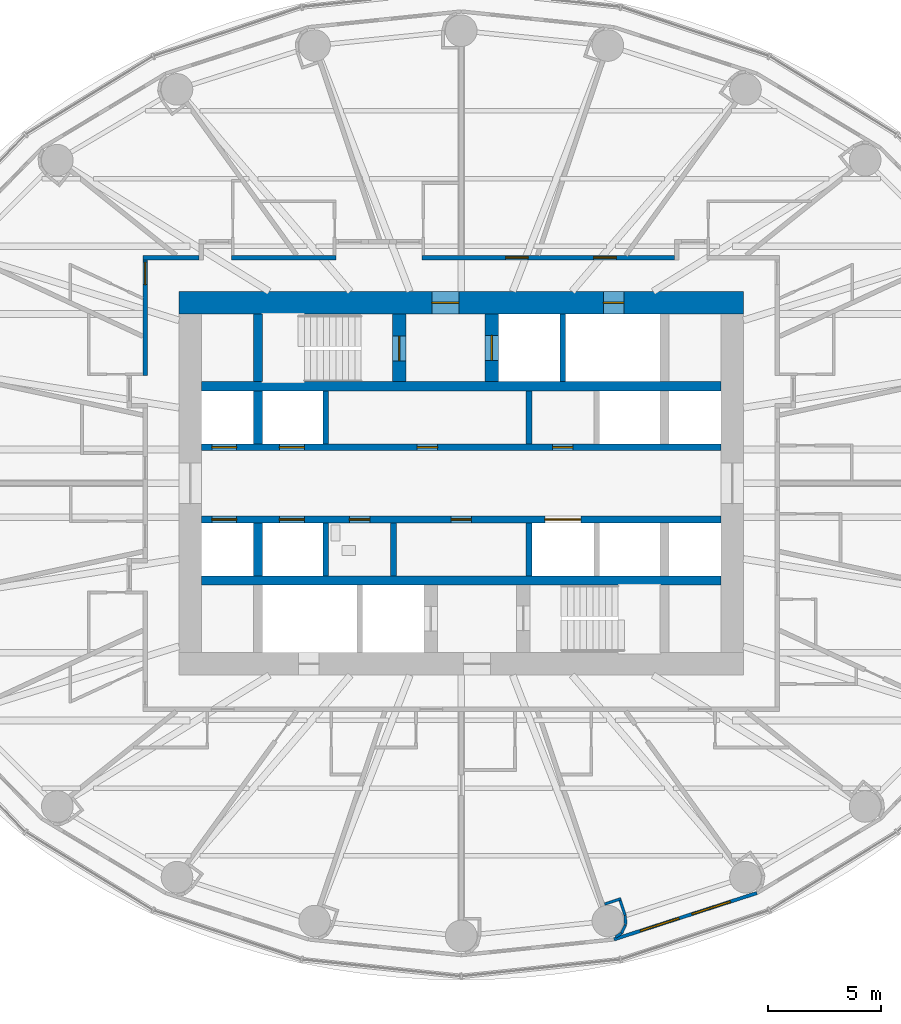
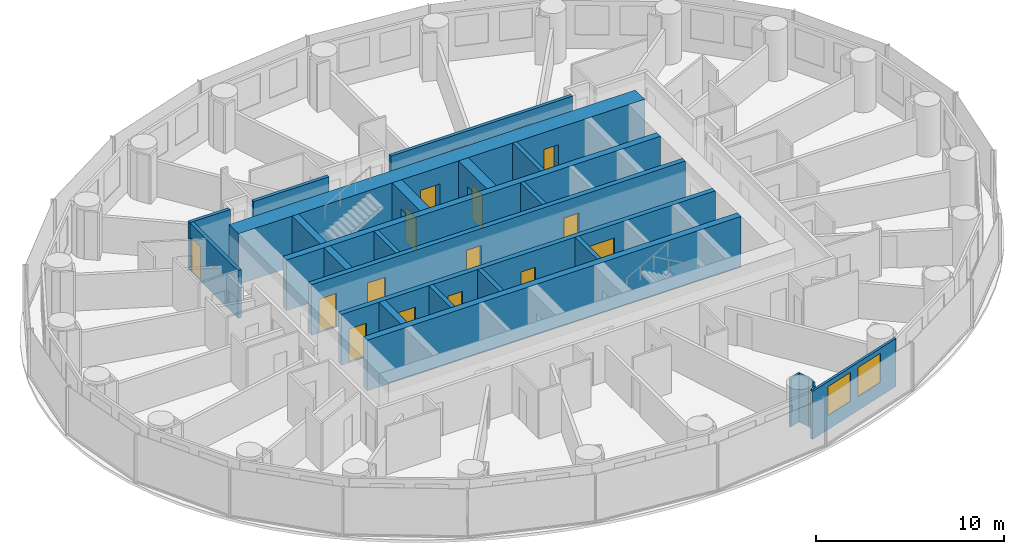
# One storey, part 9 of 16: 26 walls, 16 doors, 2 windows, 18 openings.
"""IFC4 building model written with IfcOpenShell, lengths in metres."""

from ifc_helpers import new_model, si_unit, direction, frame, frame_2d, origin, place, context, subcontext, project, spatial, rectangle, extrude, material, layer, layer_set, type_object, element, fill, save


model = new_model("IFC4")

# Units and contexts
model_context = context("Model", 3, precision=1e-05, world=origin(), true_north=direction((0.0, 1.0)))
body_context = subcontext(model_context, "Body", "Model", "MODEL_VIEW")
ifc_project = project(units=[si_unit("LENGTHUNIT", "METRE"), si_unit("AREAUNIT", "SQUARE_METRE"), si_unit("VOLUMEUNIT", "CUBIC_METRE"), si_unit("PLANEANGLEUNIT", "RADIAN"), si_unit("MASSUNIT", "GRAM", prefix="KILO")], contexts=[model_context])

# Site, building, storey
site_placement = place(None, origin())
site = spatial("IfcSite", under=ifc_project, at=site_placement, CompositionType="ELEMENT")
building_placement = place(site_placement, origin())
building = spatial("IfcBuilding", under=site, at=building_placement, Name="Hankou Lantern Tower", CompositionType="ELEMENT")
storey_placement = place(building_placement, frame((0.0, 0.0, 77.10009765625)))
storey = spatial("IfcBuildingStorey", under=building, at=storey_placement, Name="L19", CompositionType="ELEMENT", Elevation=77.10009765625)

# Wall, openings, doors
ifc_material_1 = material(Name="Concrete C60", Category="concrete")
ifc_layer_1 = layer(ifc_material_1, 1.0)
ifc_layer_set_1 = layer_set([ifc_layer_1], Name="Concrete C60")
wall_type_1 = type_object("IfcWallType", Name="CW1 CORE WALL 1000", PredefinedType="SHEAR", material=ifc_layer_set_1)
wall_1_placement = place(storey_placement, frame((-12.5, 8.0, 0.0), z_axis=(0.0, 0.0, 1.0), x_axis=(1.0, 0.0, 0.0)))
wall_1 = element("IfcWall", 1, at=wall_1_placement, inside=storey, type_object=wall_type_1, Name="Core wall north L19", PredefinedType="SHEAR", context=body_context, shape_type="SweptSolid", body=[
    extrude(rectangle(XDim=25.0, YDim=1.0, at=frame_2d((12.5, 0.0))), origin(), (0.0, 0.0, 1.0), 3.2998046875),
])
opening_1_placement = place(wall_1_placement, frame((11.199951171875, 0.0, 0.0)))
opening_1 = element("IfcOpeningElement", 2, at=opening_1_placement, cuts=wall_1, Name="Opening D5", PredefinedType="OPENING", context=body_context, shape_type="SweptSolid", body=[
    extrude(rectangle(XDim=1.199951171875, YDim=2.199951171875, at=frame_2d((0.60009765625, 1.10009765625))), frame((0.0, 0.510009765625, 0.0), z_axis=(0.0, -1.0, 0.0), x_axis=(1.0, 0.0, 0.0)), (0.0, 0.0, 1.0), 1.02001953125),
])
opening_2_placement = place(wall_1_placement, frame((18.800048828125, 0.0, 0.0)))
opening_2 = element("IfcOpeningElement", 3, at=opening_2_placement, cuts=wall_1, Name="Opening D7", PredefinedType="OPENING", context=body_context, shape_type="SweptSolid", body=[
    extrude(rectangle(XDim=0.89990234375, YDim=2.199951171875, at=frame_2d((0.449951171875, 1.10009765625))), frame((0.0, 0.510009765625, 0.0), z_axis=(0.0, -1.0, 0.0), x_axis=(1.0, 0.0, 0.0)), (0.0, 0.0, 1.0), 1.02001953125),
])
ifc_material_2 = material(Name="Steel door leaf", Category="steel")
door_type_1 = type_object("IfcDoorType", Name="D5 STAIR LOBBY DOOR 1200X2200", OperationType="SINGLE_SWING_LEFT", PredefinedType="DOOR", material=ifc_material_2)
door_1_placement = place(opening_1_placement, origin())
door_1 = element("IfcDoor", 4, at=door_1_placement, inside=storey, type_object=door_type_1, Name="Stair A lobby door", OperationType="SINGLE_SWING_LEFT", OverallHeight=2.199951171875, OverallWidth=1.199951171875, PredefinedType="DOOR", context=body_context, shape_type="SweptSolid", body=[
    extrude(rectangle(XDim=1.199951171875, YDim=2.199951171875, at=frame_2d((0.60009765625, 1.10009765625))), frame((0.0, 0.02490234375, 0.0), z_axis=(0.0, -1.0, 0.0), x_axis=(1.0, 0.0, 0.0)), (0.0, 0.0, 1.0), 0.050048828125),
])
fill(opening_1, door_1)
ifc_material_3 = material(Name="Steel door leaf", Category="steel")
door_type_2 = type_object("IfcDoorType", Name="D7 RISER DOOR 900X2200", OperationType="SINGLE_SWING_LEFT", PredefinedType="DOOR", material=ifc_material_3)
door_2_placement = place(opening_2_placement, origin())
door_2 = element("IfcDoor", 5, at=door_2_placement, inside=storey, type_object=door_type_2, Name="Riser N1 door", OperationType="SINGLE_SWING_RIGHT", OverallHeight=2.199951171875, OverallWidth=0.89990234375, PredefinedType="DOOR", context=body_context, shape_type="SweptSolid", body=[
    extrude(rectangle(XDim=0.89990234375, YDim=2.199951171875, at=frame_2d((0.449951171875, 1.10009765625))), frame((0.0, 0.02490234375, 0.0), z_axis=(0.0, -1.0, 0.0), x_axis=(1.0, 0.0, 0.0)), (0.0, 0.0, 1.0), 0.050048828125),
])
fill(opening_2, door_2)

# Walls
ifc_material_4 = material(Name="Concrete C60", Category="concrete")
ifc_layer_2 = layer(ifc_material_4, 0.39990234375)
ifc_layer_set_2 = layer_set([ifc_layer_2], Name="Concrete C60")
wall_type_2 = type_object("IfcWallType", Name="CW4 CORE CROSS WALL 400", PredefinedType="SHEAR", material=ifc_layer_set_2)
for number, where, z_axis, x_axis, name in (
    (6, (-11.5, 4.300048828125, 0.0), (0.0, 0.0, 1.0), (1.0, 0.0, 0.0), "Core band wall north L19"),
    (7, (-11.5, -4.300048828125, 0.0), (0.0, 0.0, 1.0), (1.0, 0.0, 0.0), "Core band wall south L19"),
):
    element("IfcWall", number, at=place(storey_placement, frame(where, z_axis=z_axis, x_axis=x_axis)), inside=storey, type_object=wall_type_2, Name=name, PredefinedType="SHEAR", context=body_context, shape_type="SweptSolid", body=[
        extrude(rectangle(XDim=23.0, YDim=0.39990234375, at=frame_2d((11.5, 0.0))), origin(), (0.0, 0.0, 1.0), 3.2998046875),
    ])
wall_2_placement = place(storey_placement, frame((-9.0, 4.5, 0.0), z_axis=(0.0, 0.0, 1.0), x_axis=(0.0, 1.0, 0.0)))
element("IfcWall", 8, at=wall_2_placement, inside=storey, type_object=wall_type_2, Name="Core strip wall L19", PredefinedType="SHEAR", context=body_context, shape_type="SweptSolid", body=[
    extrude(rectangle(XDim=3.0, YDim=0.39990234375, at=frame_2d((1.5, 0.0))), origin(), (0.0, 0.0, 1.0), 3.2998046875),
])
for number, where, z_axis, x_axis, name in (
    (9, (-9.0, 1.75, 0.0), (0.0, 0.0, 1.0), (0.0, 1.0, 0.0), "Core strip wall L19"),
    (10, (-9.0, -4.10009765625, 0.0), (0.0, 0.0, 1.0), (0.0, 1.0, 0.0), "Core strip wall L19"),
):
    element("IfcWall", number, at=place(storey_placement, frame(where, z_axis=z_axis, x_axis=x_axis)), inside=storey, type_object=wall_type_2, Name=name, PredefinedType="SHEAR", context=body_context, shape_type="SweptSolid", body=[
        extrude(rectangle(XDim=2.35009765625, YDim=0.39990234375, at=frame_2d((1.175048828125, 0.0))), origin(), (0.0, 0.0, 1.0), 3.2998046875),
    ])

# Wall, openings, doors
ifc_material_5 = material(Name="Concrete C60", Category="concrete")
ifc_layer_3 = layer(ifc_material_5, 0.300048828125)
ifc_layer_set_3 = layer_set([ifc_layer_3], Name="Concrete C60")
wall_type_3 = type_object("IfcWallType", Name="CW5 LIFT LOBBY WALL 300", PredefinedType="SHEAR", material=ifc_layer_set_3)
wall_3_placement = place(storey_placement, frame((-11.5, 1.60009765625, 0.0), z_axis=(0.0, 0.0, 1.0), x_axis=(1.0, 0.0, 0.0)))
wall_3 = element("IfcWall", 11, at=wall_3_placement, inside=storey, type_object=wall_type_3, Name="Lift lobby wall north L19", PredefinedType="SHEAR", context=body_context, shape_type="SweptSolid", body=[
    extrude(rectangle(XDim=23.0, YDim=0.300048828125, at=frame_2d((11.5, 0.0))), origin(), (0.0, 0.0, 1.0), 3.2998046875),
])
opening_3_placement = place(wall_3_placement, frame((0.449951171875, 0.0, 0.0)))
opening_3 = element("IfcOpeningElement", 12, at=opening_3_placement, cuts=wall_3, Name="Opening LD1", PredefinedType="OPENING", context=body_context, shape_type="SweptSolid", body=[
    extrude(rectangle(XDim=1.10009765625, YDim=2.199951171875, at=frame_2d((0.550048828125, 1.10009765625))), frame((0.0, 0.159912109375, 0.0), z_axis=(0.0, -1.0, 0.0), x_axis=(1.0, 0.0, 0.0)), (0.0, 0.0, 1.0), 0.320068359375),
])
opening_4_placement = place(wall_3_placement, frame((3.449951171875, 0.0, 0.0)))
opening_4 = element("IfcOpeningElement", 13, at=opening_4_placement, cuts=wall_3, Name="Opening LD1", PredefinedType="OPENING", context=body_context, shape_type="SweptSolid", body=[
    extrude(rectangle(XDim=1.10009765625, YDim=2.199951171875, at=frame_2d((0.550048828125, 1.10009765625))), frame((0.0, 0.159912109375, 0.0), z_axis=(0.0, -1.0, 0.0), x_axis=(1.0, 0.0, 0.0)), (0.0, 0.0, 1.0), 0.320068359375),
])
opening_5_placement = place(wall_3_placement, frame((9.550048828125, 0.0, 0.0)))
opening_5 = element("IfcOpeningElement", 14, at=opening_5_placement, cuts=wall_3, Name="Opening D30", PredefinedType="OPENING", context=body_context, shape_type="SweptSolid", body=[
    extrude(rectangle(XDim=0.89990234375, YDim=2.199951171875, at=frame_2d((0.449951171875, 1.10009765625))), frame((0.0, 0.159912109375, 0.0), z_axis=(0.0, -1.0, 0.0), x_axis=(1.0, 0.0, 0.0)), (0.0, 0.0, 1.0), 0.320068359375),
])
opening_6_placement = place(wall_3_placement, frame((15.550048828125, 0.0, 0.0)))
opening_6 = element("IfcOpeningElement", 15, at=opening_6_placement, cuts=wall_3, Name="Opening D30", PredefinedType="OPENING", context=body_context, shape_type="SweptSolid", body=[
    extrude(rectangle(XDim=0.89990234375, YDim=2.199951171875, at=frame_2d((0.449951171875, 1.10009765625))), frame((0.0, 0.159912109375, 0.0), z_axis=(0.0, -1.0, 0.0), x_axis=(1.0, 0.0, 0.0)), (0.0, 0.0, 1.0), 0.320068359375),
])
ifc_material_6 = material(Name="Steel door leaf", Category="steel")
door_type_3 = type_object("IfcDoorType", Name="D30 CORE ROOM DOOR 900X2200", OperationType="SINGLE_SWING_LEFT", PredefinedType="DOOR", material=ifc_material_6)
door_3_placement = place(opening_5_placement, origin())
door_3 = element("IfcDoor", 16, at=door_3_placement, inside=storey, type_object=door_type_3, Name="Vending room door", OperationType="SINGLE_SWING_LEFT", OverallHeight=2.199951171875, OverallWidth=0.89990234375, PredefinedType="DOOR", context=body_context, shape_type="SweptSolid", body=[
    extrude(rectangle(XDim=0.89990234375, YDim=2.199951171875, at=frame_2d((0.449951171875, 1.10009765625))), frame((0.0, 0.02490234375, 0.0), z_axis=(0.0, -1.0, 0.0), x_axis=(1.0, 0.0, 0.0)), (0.0, 0.0, 1.0), 0.050048828125),
])
fill(opening_5, door_3)
door_4_placement = place(opening_6_placement, origin())
door_4 = element("IfcDoor", 17, at=door_4_placement, inside=storey, type_object=door_type_3, Name="Room service pantry door", OperationType="SINGLE_SWING_RIGHT", OverallHeight=2.199951171875, OverallWidth=0.89990234375, PredefinedType="DOOR", context=body_context, shape_type="SweptSolid", body=[
    extrude(rectangle(XDim=0.89990234375, YDim=2.199951171875, at=frame_2d((0.449951171875, 1.10009765625))), frame((0.0, 0.02490234375, 0.0), z_axis=(0.0, -1.0, 0.0), x_axis=(1.0, 0.0, 0.0)), (0.0, 0.0, 1.0), 0.050048828125),
])
fill(opening_6, door_4)
ifc_material_7 = material(Name="Steel door leaf", Category="steel")
door_type_4 = type_object("IfcDoorType", Name="LD1 LIFT LANDING DOOR 1100X2200", OperationType="DOUBLE_DOOR_SLIDING", PredefinedType="DOOR", material=ifc_material_7)
door_5_placement = place(opening_3_placement, origin())
door_5 = element("IfcDoor", 18, at=door_5_placement, inside=storey, type_object=door_type_4, Name="Lift L1 landing door", OperationType="DOUBLE_DOOR_SLIDING", OverallHeight=2.199951171875, OverallWidth=1.10009765625, PredefinedType="DOOR", context=body_context, shape_type="SweptSolid", body=[
    extrude(rectangle(XDim=1.10009765625, YDim=2.199951171875, at=frame_2d((0.550048828125, 1.10009765625))), frame((0.0, 0.02490234375, 0.0), z_axis=(0.0, -1.0, 0.0), x_axis=(1.0, 0.0, 0.0)), (0.0, 0.0, 1.0), 0.050048828125),
])
fill(opening_3, door_5)
door_6_placement = place(opening_4_placement, origin())
door_6 = element("IfcDoor", 19, at=door_6_placement, inside=storey, type_object=door_type_4, Name="Lift L2 landing door", OperationType="DOUBLE_DOOR_SLIDING", OverallHeight=2.199951171875, OverallWidth=1.10009765625, PredefinedType="DOOR", context=body_context, shape_type="SweptSolid", body=[
    extrude(rectangle(XDim=1.10009765625, YDim=2.199951171875, at=frame_2d((0.550048828125, 1.10009765625))), frame((0.0, 0.02490234375, 0.0), z_axis=(0.0, -1.0, 0.0), x_axis=(1.0, 0.0, 0.0)), (0.0, 0.0, 1.0), 0.050048828125),
])
fill(opening_4, door_6)

wall_4_placement = place(storey_placement, frame((-11.5, -1.60009765625, 0.0), z_axis=(0.0, 0.0, 1.0), x_axis=(1.0, 0.0, 0.0)))
wall_4 = element("IfcWall", 20, at=wall_4_placement, inside=storey, type_object=wall_type_3, Name="Lift lobby wall south L19", PredefinedType="SHEAR", context=body_context, shape_type="SweptSolid", body=[
    extrude(rectangle(XDim=23.0, YDim=0.300048828125, at=frame_2d((11.5, 0.0))), origin(), (0.0, 0.0, 1.0), 3.2998046875),
])
opening_7_placement = place(wall_4_placement, frame((0.449951171875, 0.0, 0.0)))
opening_7 = element("IfcOpeningElement", 21, at=opening_7_placement, cuts=wall_4, Name="Opening LD1", PredefinedType="OPENING", context=body_context, shape_type="SweptSolid", body=[
    extrude(rectangle(XDim=1.10009765625, YDim=2.199951171875, at=frame_2d((0.550048828125, 1.10009765625))), frame((0.0, 0.159912109375, 0.0), z_axis=(0.0, -1.0, 0.0), x_axis=(1.0, 0.0, 0.0)), (0.0, 0.0, 1.0), 0.320068359375),
])
opening_8_placement = place(wall_4_placement, frame((3.449951171875, 0.0, 0.0)))
opening_8 = element("IfcOpeningElement", 22, at=opening_8_placement, cuts=wall_4, Name="Opening LD1", PredefinedType="OPENING", context=body_context, shape_type="SweptSolid", body=[
    extrude(rectangle(XDim=1.10009765625, YDim=2.199951171875, at=frame_2d((0.550048828125, 1.10009765625))), frame((0.0, 0.159912109375, 0.0), z_axis=(0.0, -1.0, 0.0), x_axis=(1.0, 0.0, 0.0)), (0.0, 0.0, 1.0), 0.320068359375),
])
opening_9_placement = place(wall_4_placement, frame((15.199951171875, 0.0, 0.0)))
opening_9 = element("IfcOpeningElement", 23, at=opening_9_placement, cuts=wall_4, Name="Opening LD4", PredefinedType="OPENING", context=body_context, shape_type="SweptSolid", body=[
    extrude(rectangle(XDim=1.60009765625, YDim=2.39990234375, at=frame_2d((0.800048828125, 1.199951171875))), frame((0.0, 0.159912109375, 0.0), z_axis=(0.0, -1.0, 0.0), x_axis=(1.0, 0.0, 0.0)), (0.0, 0.0, 1.0), 0.320068359375),
])
opening_10_placement = place(wall_4_placement, frame((6.550048828125, 0.0, 0.0)))
opening_10 = element("IfcOpeningElement", 24, at=opening_10_placement, cuts=wall_4, Name="Opening D30", PredefinedType="OPENING", context=body_context, shape_type="SweptSolid", body=[
    extrude(rectangle(XDim=0.89990234375, YDim=2.199951171875, at=frame_2d((0.449951171875, 1.10009765625))), frame((0.0, 0.159912109375, 0.0), z_axis=(0.0, -1.0, 0.0), x_axis=(1.0, 0.0, 0.0)), (0.0, 0.0, 1.0), 0.320068359375),
])
opening_11_placement = place(wall_4_placement, frame((11.050048828125, 0.0, 0.0)))
opening_11 = element("IfcOpeningElement", 25, at=opening_11_placement, cuts=wall_4, Name="Opening D30", PredefinedType="OPENING", context=body_context, shape_type="SweptSolid", body=[
    extrude(rectangle(XDim=0.89990234375, YDim=2.199951171875, at=frame_2d((0.449951171875, 1.10009765625))), frame((0.0, 0.159912109375, 0.0), z_axis=(0.0, -1.0, 0.0), x_axis=(1.0, 0.0, 0.0)), (0.0, 0.0, 1.0), 0.320068359375),
])
door_7_placement = place(opening_10_placement, origin())
door_7 = element("IfcDoor", 26, at=door_7_placement, inside=storey, type_object=door_type_3, Name="Accessible staff WC door", OperationType="SINGLE_SWING_LEFT", OverallHeight=2.199951171875, OverallWidth=0.89990234375, PredefinedType="DOOR", context=body_context, shape_type="SweptSolid", body=[
    extrude(rectangle(XDim=0.89990234375, YDim=2.199951171875, at=frame_2d((0.449951171875, 1.10009765625))), frame((0.0, 0.02490234375, 0.0), z_axis=(0.0, -1.0, 0.0), x_axis=(1.0, 0.0, 0.0)), (0.0, 0.0, 1.0), 0.050048828125),
])
fill(opening_10, door_7)
door_8_placement = place(opening_11_placement, origin())
door_8 = element("IfcDoor", 27, at=door_8_placement, inside=storey, type_object=door_type_3, Name="Housekeeping and linen store door", OperationType="SINGLE_SWING_LEFT", OverallHeight=2.199951171875, OverallWidth=0.89990234375, PredefinedType="DOOR", context=body_context, shape_type="SweptSolid", body=[
    extrude(rectangle(XDim=0.89990234375, YDim=2.199951171875, at=frame_2d((0.449951171875, 1.10009765625))), frame((0.0, 0.02490234375, 0.0), z_axis=(0.0, -1.0, 0.0), x_axis=(1.0, 0.0, 0.0)), (0.0, 0.0, 1.0), 0.050048828125),
])
fill(opening_11, door_8)
door_9_placement = place(opening_7_placement, origin())
door_9 = element("IfcDoor", 28, at=door_9_placement, inside=storey, type_object=door_type_4, Name="Lift L3 landing door", OperationType="DOUBLE_DOOR_SLIDING", OverallHeight=2.199951171875, OverallWidth=1.10009765625, PredefinedType="DOOR", context=body_context, shape_type="SweptSolid", body=[
    extrude(rectangle(XDim=1.10009765625, YDim=2.199951171875, at=frame_2d((0.550048828125, 1.10009765625))), frame((0.0, 0.02490234375, 0.0), z_axis=(0.0, -1.0, 0.0), x_axis=(1.0, 0.0, 0.0)), (0.0, 0.0, 1.0), 0.050048828125),
])
fill(opening_7, door_9)
door_10_placement = place(opening_8_placement, origin())
door_10 = element("IfcDoor", 29, at=door_10_placement, inside=storey, type_object=door_type_4, Name="Lift L4 landing door", OperationType="DOUBLE_DOOR_SLIDING", OverallHeight=2.199951171875, OverallWidth=1.10009765625, PredefinedType="DOOR", context=body_context, shape_type="SweptSolid", body=[
    extrude(rectangle(XDim=1.10009765625, YDim=2.199951171875, at=frame_2d((0.550048828125, 1.10009765625))), frame((0.0, 0.02490234375, 0.0), z_axis=(0.0, -1.0, 0.0), x_axis=(1.0, 0.0, 0.0)), (0.0, 0.0, 1.0), 0.050048828125),
])
fill(opening_8, door_10)
ifc_material_8 = material(Name="Steel door leaf", Category="steel")
door_type_5 = type_object("IfcDoorType", Name="LD4 SERVICE LIFT LANDING DOOR 1600X2400", OperationType="DOUBLE_DOOR_SLIDING", PredefinedType="DOOR", material=ifc_material_8)
door_11_placement = place(opening_9_placement, origin())
door_11 = element("IfcDoor", 30, at=door_11_placement, inside=storey, type_object=door_type_5, Name="Lift SV1 landing door", OperationType="DOUBLE_DOOR_SLIDING", OverallHeight=2.39990234375, OverallWidth=1.60009765625, PredefinedType="DOOR", context=body_context, shape_type="SweptSolid", body=[
    extrude(rectangle(XDim=1.60009765625, YDim=2.39990234375, at=frame_2d((0.800048828125, 1.199951171875))), frame((0.0, 0.02490234375, 0.0), z_axis=(0.0, -1.0, 0.0), x_axis=(1.0, 0.0, 0.0)), (0.0, 0.0, 1.0), 0.050048828125),
])
fill(opening_9, door_11)

# Wall, opening, door
ifc_material_9 = material(Name="Concrete C60", Category="concrete")
ifc_layer_4 = layer(ifc_material_9, 0.60009765625)
ifc_layer_set_4 = layer_set([ifc_layer_4], Name="Concrete C60")
wall_type_4 = type_object("IfcWallType", Name="CW6 STAIR AND SHAFT WALL 600", PredefinedType="SHEAR", material=ifc_layer_set_4)
wall_5_placement = place(storey_placement, frame((-2.75, 4.5, 0.0), z_axis=(0.0, 0.0, 1.0), x_axis=(0.0, 1.0, 0.0)))
wall_5 = element("IfcWall", 31, at=wall_5_placement, inside=storey, type_object=wall_type_4, Name="Stair wall L19", PredefinedType="SHEAR", context=body_context, shape_type="SweptSolid", body=[
    extrude(rectangle(XDim=3.0, YDim=0.60009765625, at=frame_2d((1.5, 0.0))), origin(), (0.0, 0.0, 1.0), 3.2998046875),
])
opening_12_placement = place(wall_5_placement, frame((0.925048828125, 0.0, 0.0)))
opening_12 = element("IfcOpeningElement", 32, at=opening_12_placement, cuts=wall_5, Name="Opening D4", PredefinedType="OPENING", context=body_context, shape_type="SweptSolid", body=[
    extrude(rectangle(XDim=1.10009765625, YDim=2.199951171875, at=frame_2d((0.550048828125, 1.10009765625))), frame((0.0, 0.31005859375, 0.0), z_axis=(0.0, -1.0, 0.0), x_axis=(1.0, 0.0, 0.0)), (0.0, 0.0, 1.0), 0.6201171875),
])
ifc_material_10 = material(Name="Steel door leaf", Category="steel")
door_type_6 = type_object("IfcDoorType", Name="D4 STAIR DOOR 1100X2200", OperationType="SINGLE_SWING_LEFT", PredefinedType="DOOR", material=ifc_material_10)
door_12_placement = place(opening_12_placement, origin())
door_12 = element("IfcDoor", 33, at=door_12_placement, inside=storey, type_object=door_type_6, Name="Stair A door", OperationType="SINGLE_SWING_LEFT", OverallHeight=2.199951171875, OverallWidth=1.10009765625, PredefinedType="DOOR", context=body_context, shape_type="SweptSolid", body=[
    extrude(rectangle(XDim=1.10009765625, YDim=2.199951171875, at=frame_2d((0.550048828125, 1.10009765625))), frame((0.0, 0.02490234375, 0.0), z_axis=(0.0, -1.0, 0.0), x_axis=(1.0, 0.0, 0.0)), (0.0, 0.0, 1.0), 0.050048828125),
])
fill(opening_12, door_12)

wall_6_placement = place(storey_placement, frame((1.35009765625, 4.5, 0.0), z_axis=(0.0, 0.0, 1.0), x_axis=(0.0, 1.0, 0.0)))
wall_6 = element("IfcWall", 34, at=wall_6_placement, inside=storey, type_object=wall_type_4, Name="Firefighting lift shaft wall L19", PredefinedType="SHEAR", context=body_context, shape_type="SweptSolid", body=[
    extrude(rectangle(XDim=3.0, YDim=0.60009765625, at=frame_2d((1.5, 0.0))), origin(), (0.0, 0.0, 1.0), 3.2998046875),
])
opening_13_placement = place(wall_6_placement, frame((0.949951171875, 0.0, 0.0)))
opening_13 = element("IfcOpeningElement", 35, at=opening_13_placement, cuts=wall_6, Name="Opening LD2", PredefinedType="OPENING", context=body_context, shape_type="SweptSolid", body=[
    extrude(rectangle(XDim=1.10009765625, YDim=2.199951171875, at=frame_2d((0.550048828125, 1.10009765625))), frame((0.0, 0.31005859375, 0.0), z_axis=(0.0, -1.0, 0.0), x_axis=(1.0, 0.0, 0.0)), (0.0, 0.0, 1.0), 0.6201171875),
])
ifc_material_11 = material(Name="Steel door leaf", Category="steel")
door_type_7 = type_object("IfcDoorType", Name="LD2 FIREFIGHTING LIFT LANDING DOOR 1100X2200", OperationType="DOUBLE_DOOR_SLIDING", PredefinedType="DOOR", material=ifc_material_11)
door_13_placement = place(opening_13_placement, origin())
door_13 = element("IfcDoor", 36, at=door_13_placement, inside=storey, type_object=door_type_7, Name="Firefighting lift FL1 landing door", OperationType="DOUBLE_DOOR_SLIDING", OverallHeight=2.199951171875, OverallWidth=1.10009765625, PredefinedType="DOOR", context=body_context, shape_type="SweptSolid", body=[
    extrude(rectangle(XDim=1.10009765625, YDim=2.199951171875, at=frame_2d((0.550048828125, 1.10009765625))), frame((0.0, 0.02490234375, 0.0), z_axis=(0.0, -1.0, 0.0), x_axis=(1.0, 0.0, 0.0)), (0.0, 0.0, 1.0), 0.050048828125),
])
fill(opening_13, door_13)

# Wall, openings, windows
ifc_material_12 = material(Name="Aluminium spandrel panel on steel studs", Category="steel")
ifc_layer_5 = layer(ifc_material_12, 0.14990234375)
ifc_layer_set_5 = layer_set([ifc_layer_5], Name="Aluminium spandrel panel on steel studs")
wall_type_5 = type_object("IfcWallType", Name="EW1 INNER SKIN WALL 150", PredefinedType="ELEMENTEDWALL", material=ifc_layer_set_5)
wall_7_placement = place(storey_placement, frame((6.766357421875, -20.201904296875, 0.0), z_axis=(0.0, 0.0, 1.0), x_axis=(0.951137534625, 0.308767534285, 0.0)))
wall_7 = element("IfcWall", 37, at=wall_7_placement, inside=storey, type_object=wall_type_5, Name="Inner skin R20-R21 L19", PredefinedType="ELEMENTEDWALL", context=body_context, shape_type="SweptSolid", body=[
    extrude(rectangle(XDim=6.6552734375, YDim=0.14990234375, at=frame_2d((3.32763671875, 0.0))), origin(), (0.0, 0.0, 1.0), 3.119873046875),
])
opening_14_placement = place(wall_7_placement, frame((1.2275390625, 0.0, 0.89990234375)))
opening_14 = element("IfcOpeningElement", 38, at=opening_14_placement, cuts=wall_7, Name="Opening W1", PredefinedType="OPENING", context=body_context, shape_type="SweptSolid", body=[
    extrude(rectangle(XDim=1.800048828125, YDim=1.89990234375, at=frame_2d((0.89990234375, 0.949951171875))), frame((0.0, 0.0849609375, 0.0), z_axis=(0.0, -1.0, 0.0), x_axis=(1.0, 0.0, 0.0)), (0.0, 0.0, 1.0), 0.169921875),
])
opening_15_placement = place(wall_7_placement, frame((3.627685546875, 0.0, 0.89990234375)))
opening_15 = element("IfcOpeningElement", 39, at=opening_15_placement, cuts=wall_7, Name="Opening W1", PredefinedType="OPENING", context=body_context, shape_type="SweptSolid", body=[
    extrude(rectangle(XDim=1.800048828125, YDim=1.89990234375, at=frame_2d((0.89990234375, 0.949951171875))), frame((0.0, 0.0849609375, 0.0), z_axis=(0.0, -1.0, 0.0), x_axis=(1.0, 0.0, 0.0)), (0.0, 0.0, 1.0), 0.169921875),
])
ifc_material_13 = material(Name="Aluminium framed double glazed window", Category="aluminium")
window_type = type_object("IfcWindowType", Name="W1 GUEST ROOM WINDOW 1800X1900", PartitioningType="DOUBLE_PANEL_VERTICAL", PredefinedType="WINDOW", material=ifc_material_13)
window_1_placement = place(opening_14_placement, origin())
window_1 = element("IfcWindow", 40, at=window_1_placement, inside=storey, type_object=window_type, Name="Window R20.1 L19", OverallHeight=1.89990234375, OverallWidth=1.800048828125, PartitioningType="SINGLE_PANEL", PredefinedType="WINDOW", context=body_context, shape_type="SweptSolid", body=[
    extrude(rectangle(XDim=1.800048828125, YDim=1.89990234375, at=frame_2d((0.89990234375, 0.949951171875))), frame((0.0, 0.030029296875, 0.0), z_axis=(0.0, -1.0, 0.0), x_axis=(1.0, 0.0, 0.0)), (0.0, 0.0, 1.0), 0.06005859375),
])
fill(opening_14, window_1)
window_2_placement = place(opening_15_placement, origin())
window_2 = element("IfcWindow", 41, at=window_2_placement, inside=storey, type_object=window_type, Name="Window R20.2 L19", OverallHeight=1.89990234375, OverallWidth=1.800048828125, PartitioningType="SINGLE_PANEL", PredefinedType="WINDOW", context=body_context, shape_type="SweptSolid", body=[
    extrude(rectangle(XDim=1.800048828125, YDim=1.89990234375, at=frame_2d((0.89990234375, 0.949951171875))), frame((0.0, 0.030029296875, 0.0), z_axis=(0.0, -1.0, 0.0), x_axis=(1.0, 0.0, 0.0)), (0.0, 0.0, 1.0), 0.06005859375),
])
fill(opening_15, window_2)

# Walls
ifc_material_14 = material(Name="Masonry lightweight concrete block", Category="masonry")
ifc_layer_6 = layer(ifc_material_14, 0.199951171875)
ifc_layer_set_6 = layer_set([ifc_layer_6], Name="Masonry lightweight concrete block")
wall_type_6 = type_object("IfcWallType", Name="IW2 CORRIDOR WALL 200", PredefinedType="PARTITIONING", material=ifc_layer_set_6)
wall_8_placement = place(storey_placement, frame((-14.10009765625, 10.0, 0.0), z_axis=(0.0, 0.0, 1.0), x_axis=(1.0, 0.0, 0.0)))
element("IfcWall", 42, at=wall_8_placement, inside=storey, type_object=wall_type_6, Name="Corridor wall north", PredefinedType="PARTITIONING", context=body_context, shape_type="SweptSolid", body=[
    extrude(rectangle(XDim=2.48095703125, YDim=0.199951171875, at=frame_2d((1.240478515625, 0.0))), origin(), (0.0, 0.0, 1.0), 3.119873046875),
])
wall_9_placement = place(storey_placement, frame((-10.178955078125, 10.0, 0.0), z_axis=(0.0, 0.0, 1.0), x_axis=(1.0, 0.0, 0.0)))
element("IfcWall", 43, at=wall_9_placement, inside=storey, type_object=wall_type_6, Name="Corridor wall north", PredefinedType="PARTITIONING", context=body_context, shape_type="SweptSolid", body=[
    extrude(rectangle(XDim=4.6298828125, YDim=0.199951171875, at=frame_2d((2.31494140625, 0.0))), origin(), (0.0, 0.0, 1.0), 3.119873046875),
])

# Wall, openings, doors
wall_10_placement = place(storey_placement, frame((-1.739990234375, 10.0, 0.0), z_axis=(0.0, 0.0, 1.0), x_axis=(1.0, 0.0, 0.0)))
wall_10 = element("IfcWall", 44, at=wall_10_placement, inside=storey, type_object=wall_type_6, Name="Corridor wall north", PredefinedType="PARTITIONING", context=body_context, shape_type="SweptSolid", body=[
    extrude(rectangle(XDim=11.18505859375, YDim=0.199951171875, at=frame_2d((5.592529296875, 0.0))), origin(), (0.0, 0.0, 1.0), 3.119873046875),
])
opening_16_placement = place(wall_10_placement, frame((7.609130859375, 0.0, 0.0)))
opening_16 = element("IfcOpeningElement", 45, at=opening_16_placement, cuts=wall_10, Name="Opening D28", PredefinedType="OPENING", context=body_context, shape_type="SweptSolid", body=[
    extrude(rectangle(XDim=1.0, YDim=2.199951171875, at=frame_2d((0.5, 1.10009765625))), frame((0.0, 0.10986328125, 0.0), z_axis=(0.0, -1.0, 0.0), x_axis=(1.0, 0.0, 0.0)), (0.0, 0.0, 1.0), 0.219970703125),
])
opening_17_placement = place(wall_10_placement, frame((3.702880859375, 0.0, 0.0)))
opening_17 = element("IfcOpeningElement", 46, at=opening_17_placement, cuts=wall_10, Name="Opening D28", PredefinedType="OPENING", context=body_context, shape_type="SweptSolid", body=[
    extrude(rectangle(XDim=1.0, YDim=2.199951171875, at=frame_2d((0.5, 1.10009765625))), frame((0.0, 0.10986328125, 0.0), z_axis=(0.0, -1.0, 0.0), x_axis=(1.0, 0.0, 0.0)), (0.0, 0.0, 1.0), 0.219970703125),
])
ifc_material_15 = material(Name="Steel door leaf", Category="steel")
door_type_8 = type_object("IfcDoorType", Name="D28 SERVICE DOOR 1000X2200", OperationType="SINGLE_SWING_LEFT", PredefinedType="DOOR", material=ifc_material_15)
door_14_placement = place(opening_16_placement, origin())
door_14 = element("IfcDoor", 47, at=door_14_placement, inside=storey, type_object=door_type_8, Name="Service door 1910", OperationType="SINGLE_SWING_RIGHT", OverallHeight=2.199951171875, OverallWidth=1.0, PredefinedType="DOOR", context=body_context, shape_type="SweptSolid", body=[
    extrude(rectangle(XDim=1.0, YDim=2.199951171875, at=frame_2d((0.5, 1.10009765625))), frame((0.0, 0.02490234375, 0.0), z_axis=(0.0, -1.0, 0.0), x_axis=(1.0, 0.0, 0.0)), (0.0, 0.0, 1.0), 0.050048828125),
])
fill(opening_16, door_14)
door_15_placement = place(opening_17_placement, origin())
door_15 = element("IfcDoor", 48, at=door_15_placement, inside=storey, type_object=door_type_8, Name="Service door 1911", OperationType="SINGLE_SWING_RIGHT", OverallHeight=2.199951171875, OverallWidth=1.0, PredefinedType="DOOR", context=body_context, shape_type="SweptSolid", body=[
    extrude(rectangle(XDim=1.0, YDim=2.199951171875, at=frame_2d((0.5, 1.10009765625))), frame((0.0, 0.02490234375, 0.0), z_axis=(0.0, -1.0, 0.0), x_axis=(1.0, 0.0, 0.0)), (0.0, 0.0, 1.0), 0.050048828125),
])
fill(opening_17, door_15)

# Wall, opening, door
wall_11_placement = place(storey_placement, frame((-14.0, 9.89990234375, 0.0), z_axis=(0.0, 0.0, 1.0), x_axis=(0.0, -1.0, 0.0)))
wall_11 = element("IfcWall", 49, at=wall_11_placement, inside=storey, type_object=wall_type_6, Name="Corridor wall west", PredefinedType="PARTITIONING", context=body_context, shape_type="SweptSolid", body=[
    extrude(rectangle(XDim=5.12744140625, YDim=0.199951171875, at=frame_2d((2.563720703125, 0.0))), origin(), (0.0, 0.0, 1.0), 3.119873046875),
])
opening_18_placement = place(wall_11_placement, frame((0.1025390625, 0.0, 0.0)))
opening_18 = element("IfcOpeningElement", 50, at=opening_18_placement, cuts=wall_11, Name="Opening D1", PredefinedType="OPENING", context=body_context, shape_type="SweptSolid", body=[
    extrude(rectangle(XDim=1.0, YDim=2.199951171875, at=frame_2d((0.5, 1.10009765625))), frame((0.0, 0.10986328125, 0.0), z_axis=(0.0, -1.0, 0.0), x_axis=(1.0, 0.0, 0.0)), (0.0, 0.0, 1.0), 0.219970703125),
])
ifc_material_16 = material(Name="Steel door leaf", Category="steel")
door_type_9 = type_object("IfcDoorType", Name="D1 GUEST ROOM DOOR 1000X2200", OperationType="SINGLE_SWING_LEFT", PredefinedType="DOOR", material=ifc_material_16)
door_16_placement = place(opening_18_placement, origin())
door_16 = element("IfcDoor", 51, at=door_16_placement, inside=storey, type_object=door_type_9, Name="Guest room door 1915", OperationType="SINGLE_SWING_LEFT", OverallHeight=2.199951171875, OverallWidth=1.0, PredefinedType="DOOR", context=body_context, shape_type="SweptSolid", body=[
    extrude(rectangle(XDim=1.0, YDim=2.199951171875, at=frame_2d((0.5, 1.10009765625))), frame((0.0, 0.02490234375, 0.0), z_axis=(0.0, -1.0, 0.0), x_axis=(1.0, 0.0, 0.0)), (0.0, 0.0, 1.0), 0.050048828125),
])
fill(opening_18, door_16)

# Walls
ifc_material_17 = material(Name="Masonry lightweight concrete block", Category="masonry")
ifc_layer_7 = layer(ifc_material_17, 0.1201171875)
ifc_layer_set_7 = layer_set([ifc_layer_7], Name="Masonry lightweight concrete block")
wall_type_7 = type_object("IfcWallType", Name="IW4 PARTITION 120", PredefinedType="PARTITIONING", material=ifc_layer_set_7)
wall_12_placement = place(storey_placement, frame((6.348388671875, -18.638916015625, 0.0), z_axis=(0.0, 0.0, 1.0), x_axis=(0.948268951266, 0.317468102437, 0.0)))
element("IfcWall", 52, at=wall_12_placement, inside=storey, type_object=wall_type_7, Name="Column casing R20 return", PredefinedType="PARTITIONING", context=body_context, shape_type="SweptSolid", body=[
    extrude(rectangle(XDim=0.767578125, YDim=0.1201171875, at=frame_2d((0.3837890625, 0.0))), origin(), (0.0, 0.0, 1.0), 3.119873046875),
])
wall_13_placement = place(storey_placement, frame((7.038330078125, -18.47119140625, 0.0), z_axis=(0.0, 0.0, 1.0), x_axis=(0.317378466199, -0.9482989556, 0.0)))
element("IfcWall", 53, at=wall_13_placement, inside=storey, type_object=wall_type_7, Name="Column casing R20", PredefinedType="PARTITIONING", context=body_context, shape_type="SweptSolid", body=[
    extrude(rectangle(XDim=0.699951171875, YDim=0.1201171875, at=frame_2d((0.35009765625, 0.0))), origin(), (0.0, 0.0, 1.0), 3.119873046875),
])
wall_14_placement = place(storey_placement, frame((7.260498046875, -19.135009765625, 0.0), z_axis=(0.0, 0.0, 1.0), x_axis=(0.0613238046, -0.99811792439, 0.0)))
element("IfcWall", 54, at=wall_14_placement, inside=storey, type_object=wall_type_7, Name="Column casing R20", PredefinedType="PARTITIONING", context=body_context, shape_type="SweptSolid", body=[
    extrude(rectangle(XDim=0.41796875, YDim=0.1201171875, at=frame_2d((0.208984375, 0.0))), origin(), (0.0, 0.0, 1.0), 3.119873046875),
])
wall_15_placement = place(storey_placement, frame((7.2861328125, -19.55224609375, 0.0), z_axis=(0.0, 0.0, 1.0), x_axis=(-0.445810757773, -0.89512723579, 0.0)))
element("IfcWall", 55, at=wall_15_placement, inside=storey, type_object=wall_type_7, Name="Column casing R20", PredefinedType="PARTITIONING", context=body_context, shape_type="SweptSolid", body=[
    extrude(rectangle(XDim=0.417724609375, YDim=0.1201171875, at=frame_2d((0.208984375, 0.0))), origin(), (0.0, 0.0, 1.0), 3.119873046875),
])
wall_16_placement = place(storey_placement, frame((7.099853515625, -19.92626953125, 0.0), z_axis=(0.0, 0.0, 1.0), x_axis=(-0.833488262509, -0.552537162787, 0.0)))
element("IfcWall", 56, at=wall_16_placement, inside=storey, type_object=wall_type_7, Name="Column casing R20", PredefinedType="PARTITIONING", context=body_context, shape_type="SweptSolid", body=[
    extrude(rectangle(XDim=0.312744140625, YDim=0.1201171875, at=frame_2d((0.15625, 0.0))), origin(), (0.0, 0.0, 1.0), 3.119873046875),
])
ifc_material_18 = material(Name="Masonry autoclaved aerated concrete block", Category="masonry")
ifc_layer_8 = layer(ifc_material_18, 0.25)
ifc_layer_set_8 = layer_set([ifc_layer_8], Name="Masonry autoclaved aerated concrete block")
wall_type_8 = type_object("IfcWallType", Name="SW1 SHAFT BLOCK WALL 250", PredefinedType="PARTITIONING", material=ifc_layer_set_8)
wall_17_placement = place(storey_placement, frame((4.5, 4.5, 0.0), z_axis=(0.0, 0.0, 1.0), x_axis=(0.0, 1.0, 0.0)))
element("IfcWall", 57, at=wall_17_placement, inside=storey, type_object=wall_type_8, Name="Riser wall L19", PredefinedType="PARTITIONING", context=body_context, shape_type="SweptSolid", body=[
    extrude(rectangle(XDim=3.0, YDim=0.25, at=frame_2d((1.5, 0.0))), origin(), (0.0, 0.0, 1.0), 3.2998046875),
])
for number, where, z_axis, x_axis, name in (
    (58, (-6.0, 1.75, 0.0), (0.0, 0.0, 1.0), (0.0, 1.0, 0.0), "Lift shaft wall L19"),
    (59, (3.0, 1.75, 0.0), (0.0, 0.0, 1.0), (0.0, 1.0, 0.0), "Lift shaft wall L19"),
    (60, (-6.0, -4.10009765625, 0.0), (0.0, 0.0, 1.0), (0.0, 1.0, 0.0), "Lift shaft wall L19"),
    (61, (-3.0, -4.10009765625, 0.0), (0.0, 0.0, 1.0), (0.0, 1.0, 0.0), "Lift shaft wall L19"),
    (62, (3.0, -4.10009765625, 0.0), (0.0, 0.0, 1.0), (0.0, 1.0, 0.0), "Lift shaft wall L19"),
):
    element("IfcWall", number, at=place(storey_placement, frame(where, z_axis=z_axis, x_axis=x_axis)), inside=storey, type_object=wall_type_8, Name=name, PredefinedType="PARTITIONING", context=body_context, shape_type="SweptSolid", body=[
        extrude(rectangle(XDim=2.35009765625, YDim=0.25, at=frame_2d((1.175048828125, 0.0))), origin(), (0.0, 0.0, 1.0), 3.2998046875),
    ])

save(model, "model.ifc")
